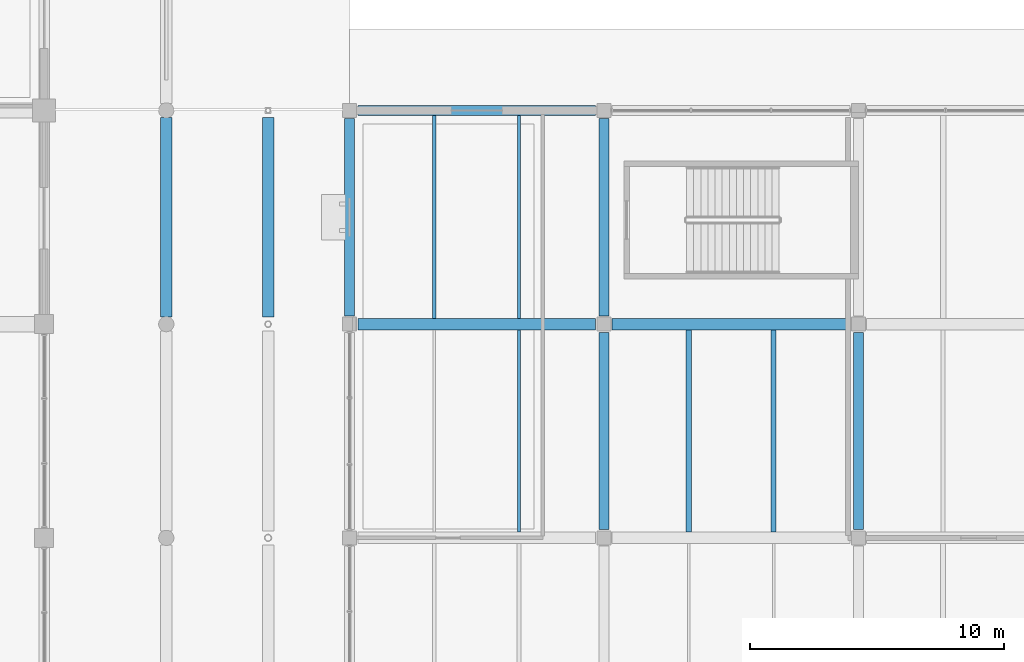
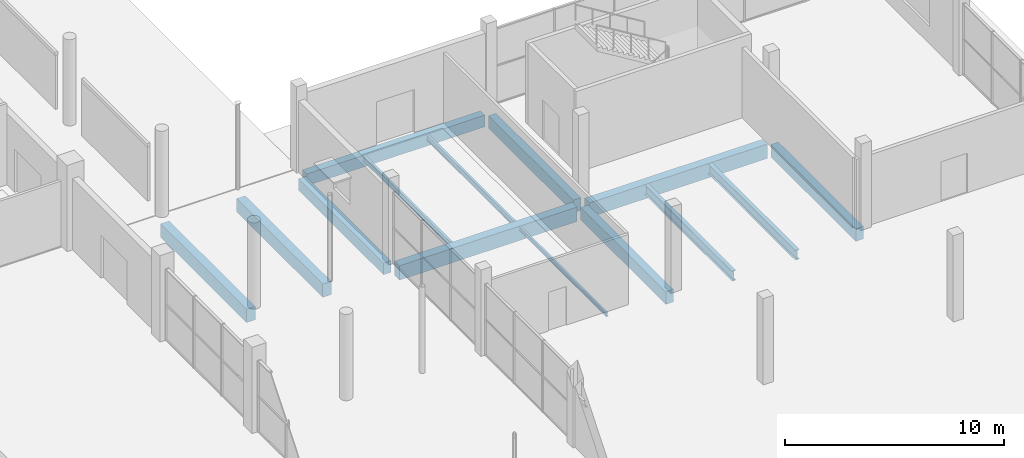
# One storey, part 76 of 130: 14 beams.
"""IFC4 building model written with IfcOpenShell, lengths in metres."""

from ifc_helpers import new_model, si_unit, direction, frame, origin, origin_2d, place, context, subcontext, project, spatial, rectangle, i_section, extrude, material, material_profile, profile_set, type_object, element, save


model = new_model("IFC4")

# Units and contexts
model_context = context("Model", 3, precision=1e-05, world=origin(), true_north=direction((0.0, 1.0)))
body_context = subcontext(model_context, "Body", "Model", "MODEL_VIEW")
ifc_project = project(units=[si_unit("LENGTHUNIT", "METRE"), si_unit("AREAUNIT", "SQUARE_METRE"), si_unit("VOLUMEUNIT", "CUBIC_METRE"), si_unit("PLANEANGLEUNIT", "RADIAN"), si_unit("MASSUNIT", "GRAM", prefix="KILO"), si_unit("THERMODYNAMICTEMPERATUREUNIT", "KELVIN")], contexts=[model_context])

# Site, building, storey
site_placement = place(None, origin())
site = spatial("IfcSite", under=ifc_project, at=site_placement, CompositionType="ELEMENT")
building_placement = place(site_placement, origin())
building = spatial("IfcBuilding", under=site, at=building_placement, Name="Nduvali Passage Aquatics Centre", CompositionType="ELEMENT")
storey_placement = place(building_placement, origin())
storey = spatial("IfcBuildingStorey", under=building, at=storey_placement, Name="L00", CompositionType="ELEMENT", Elevation=0.0)

# Beams
ifc_material_1 = material(Name="Concrete C40/50", Category="concrete")
ifc_material_profile_1 = material_profile(ifc_material_1, rectangle(XDim=0.39990234375, YDim=0.699951171875, at=origin_2d()), Name="RC 400x700")
ifc_profile_set_1 = profile_set([ifc_material_profile_1], Name="Concrete C40/50")
beam_type_1 = type_object("IfcBeamType", Name="STR-BM-RC4070", PredefinedType="BEAM", material=ifc_profile_set_1)
for number, where, z_axis, x_axis, name in (
    (1, (148.0, 75.925048828125, -0.64990234375), (0.0, 1.0, 0.0), (-1.0, 0.0, 0.0), "L00 Primary Y-Girder B3A-0237"),
    (2, (148.0, 84.324951171875, -0.64990234375), (0.0, 1.0, 0.0), (-1.0, 0.0, 0.0), "L00 Primary Y-Girder B3A-0238"),
    (3, (158.0, 75.925048828125, -0.64990234375), (0.0, 1.0, 0.0), (-1.0, 0.0, 0.0), "L00 Primary Y-Girder B3A-0245"),
):
    element("IfcBeam", number, at=place(storey_placement, frame(where, z_axis=z_axis, x_axis=x_axis)), inside=storey, type_object=beam_type_1, Name=name, PredefinedType="BEAM", context=body_context, shape_type="SweptSolid", body=[
        extrude(rectangle(XDim=0.39990234375, YDim=0.699951171875, at=origin_2d()), origin(), (0.0, 0.0, 1.0), 7.75),
    ])
ifc_material_profile_2 = material_profile(ifc_material_1, rectangle(XDim=0.449951171875, YDim=0.75, at=origin_2d()), Name="RC 450x750")
ifc_profile_set_2 = profile_set([ifc_material_profile_2], Name="Concrete C40/50")
beam_type_2 = type_object("IfcBeamType", Name="STR-BM-RC4575", PredefinedType="BEAM", material=ifc_profile_set_2)
for number, where, z_axis, x_axis, name in (
    (4, (130.800048828125, 84.27490234375, -0.675048828125), (0.0, 1.0, 0.0), (-1.0, 0.0, 0.0), "L00 Primary Y-Girder B3-0211"),
    (5, (134.800048828125, 84.27490234375, -0.675048828125), (0.0, 1.0, 0.0), (-1.0, 0.0, 0.0), "L00 Primary Y-Girder B3-0222"),
):
    element("IfcBeam", number, at=place(storey_placement, frame(where, z_axis=z_axis, x_axis=x_axis)), inside=storey, type_object=beam_type_2, Name=name, PredefinedType="BEAM", context=body_context, shape_type="SweptSolid", body=[
        extrude(rectangle(XDim=0.449951171875, YDim=0.75, at=origin_2d()), origin(), (0.0, 0.0, 1.0), 7.85009765625),
    ])
ifc_material_profile_3 = material_profile(ifc_material_1, rectangle(XDim=0.449951171875, YDim=0.800048828125, at=origin_2d()), Name="RC 450x800")
ifc_profile_set_3 = profile_set([ifc_material_profile_3], Name="Concrete C40/50")
beam_type_3 = type_object("IfcBeamType", Name="STR-BM-RC4580", PredefinedType="BEAM", material=ifc_profile_set_3)
for number, where, z_axis, x_axis, name in (
    (6, (138.324951171875, 84.0, -0.699951171875), (1.0, 0.0, 0.0), (0.0, 1.0, 0.0), "L00 Primary X-Girder B2A-0082"),
    (7, (148.324951171875, 84.0, -0.699951171875), (1.0, 0.0, 0.0), (0.0, 1.0, 0.0), "L00 Primary X-Girder B2A-0083"),
):
    element("IfcBeam", number, at=place(storey_placement, frame(where, z_axis=z_axis, x_axis=x_axis)), inside=storey, type_object=beam_type_3, Name=name, PredefinedType="BEAM", context=body_context, shape_type="SweptSolid", body=[
        extrude(rectangle(XDim=0.449951171875, YDim=0.800048828125, at=origin_2d()), origin(), (0.0, 0.0, 1.0), 9.35009765625),
    ])
ifc_material_2 = material(Name="Steel S355", Category="steel")
ifc_material_profile_4 = material_profile(ifc_material_2, i_section(OverallWidth=0.110107421875, OverallDepth=0.219970703125, WebThickness=0.005859375, FlangeThickness=0.00927734375, FilletRadius=0.011962890625, at=origin_2d()), Name="IPE 220")
ifc_profile_set_4 = profile_set([ifc_material_profile_4], Name="Steel S355")
beam_type_4 = type_object("IfcBeamType", Name="STR-JST-IPE220", PredefinedType="JOIST", material=ifc_profile_set_4)
beam_1_placement = place(storey_placement, frame((144.666748046875, 75.824951171875, -0.4140625), z_axis=(0.0, 1.0, 0.0), x_axis=(-1.0, 0.0, 0.0)))
element("IfcBeam", 8, at=beam_1_placement, inside=storey, type_object=beam_type_4, Name="L00 Secondary Joist J9-0374", PredefinedType="JOIST", context=body_context, shape_type="SweptSolid", body=[
    extrude(i_section(OverallWidth=0.110107421875, OverallDepth=0.219970703125, WebThickness=0.005859375, FlangeThickness=0.00927734375, FilletRadius=0.011962890625, at=origin_2d()), origin(), (0.0, 0.0, 1.0), 7.949951171875),
])
ifc_material_profile_5 = material_profile(ifc_material_2, i_section(OverallWidth=0.2099609375, OverallDepth=0.550048828125, WebThickness=0.010986328125, FlangeThickness=0.01708984375, FilletRadius=0.02392578125, at=origin_2d()), Name="IPE 550")
ifc_profile_set_5 = profile_set([ifc_material_profile_5], Name="Steel S355")
beam_type_5 = type_object("IfcBeamType", Name="STR-JST-IPE550", PredefinedType="JOIST", material=ifc_profile_set_5)
for number, where, z_axis, x_axis, name in (
    (9, (151.333251953125, 75.824951171875, -0.5791015625), (0.0, 1.0, 0.0), (-1.0, 0.0, 0.0), "L00 Secondary Joist J5C-0375"),
    (10, (154.666748046875, 75.824951171875, -0.5791015625), (0.0, 1.0, 0.0), (-1.0, 0.0, 0.0), "L00 Secondary Joist J5C-0376"),
):
    element("IfcBeam", number, at=place(storey_placement, frame(where, z_axis=z_axis, x_axis=x_axis)), inside=storey, type_object=beam_type_5, Name=name, PredefinedType="JOIST", context=body_context, shape_type="SweptSolid", body=[
        extrude(i_section(OverallWidth=0.2099609375, OverallDepth=0.550048828125, WebThickness=0.010986328125, FlangeThickness=0.01708984375, FilletRadius=0.02392578125, at=origin_2d()), origin(), (0.0, 0.0, 1.0), 7.949951171875),
    ])
ifc_material_profile_6 = material_profile(ifc_material_2, i_section(OverallWidth=0.124267578125, OverallDepth=0.30712890625, WebThickness=0.008056640625, FlangeThickness=0.01220703125, FilletRadius=0.0087890625, at=origin_2d()), Name="UKB 305x127x42")
ifc_profile_set_6 = profile_set([ifc_material_profile_6], Name="Steel S355")
beam_type_6 = type_object("IfcBeamType", Name="STR-JST-UKB305L", PredefinedType="JOIST", material=ifc_profile_set_6)
for number, where, z_axis, x_axis, name in (
    (11, (141.333251953125, 84.22509765625, -0.45751953125), (0.0, 1.0, 0.0), (-1.0, 0.0, 0.0), "L00 Secondary Joist J3A-0392"),
    (12, (144.666748046875, 84.22509765625, -0.45751953125), (0.0, 1.0, 0.0), (-1.0, 0.0, 0.0), "L00 Secondary Joist J3A-0393"),
):
    element("IfcBeam", number, at=place(storey_placement, frame(where, z_axis=z_axis, x_axis=x_axis)), inside=storey, type_object=beam_type_6, Name=name, PredefinedType="JOIST", context=body_context, shape_type="SweptSolid", body=[
        extrude(i_section(OverallWidth=0.124267578125, OverallDepth=0.30712890625, WebThickness=0.008056640625, FlangeThickness=0.01220703125, FilletRadius=0.0087890625, at=origin_2d()), origin(), (0.0, 0.0, 1.0), 7.974853515625),
    ])
ifc_material_profile_7 = material_profile(ifc_material_1, rectangle(XDim=0.39990234375, YDim=0.64990234375, at=origin_2d()), Name="RC 400x650")
ifc_profile_set_7 = profile_set([ifc_material_profile_7], Name="Concrete C40/50")
beam_type_7 = type_object("IfcBeamType", Name="STR-SPN-RC4065-EXT", PredefinedType="SPANDREL", material=ifc_profile_set_7)
beam_2_placement = place(storey_placement, frame((138.324951171875, 92.39990234375, -0.625), z_axis=(1.0, 0.0, 0.0), x_axis=(0.0, 1.0, 0.0)))
element("IfcBeam", 13, at=beam_2_placement, inside=storey, type_object=beam_type_7, Name="L00 Primary X-Girder SP1E-0092", PredefinedType="SPANDREL", context=body_context, shape_type="SweptSolid", body=[
    extrude(rectangle(XDim=0.39990234375, YDim=0.64990234375, at=origin_2d()), origin(), (0.0, 0.0, 1.0), 9.35009765625),
])
beam_3_placement = place(storey_placement, frame((138.0, 84.324951171875, -0.625), z_axis=(0.0, 1.0, 0.0), x_axis=(-1.0, 0.0, 0.0)))
element("IfcBeam", 14, at=beam_3_placement, inside=storey, type_object=beam_type_7, Name="L00 Primary Y-Girder SP1E-0230", PredefinedType="SPANDREL", context=body_context, shape_type="SweptSolid", body=[
    extrude(rectangle(XDim=0.39990234375, YDim=0.64990234375, at=origin_2d()), origin(), (0.0, 0.0, 1.0), 7.75),
])

save(model, "model.ifc")
